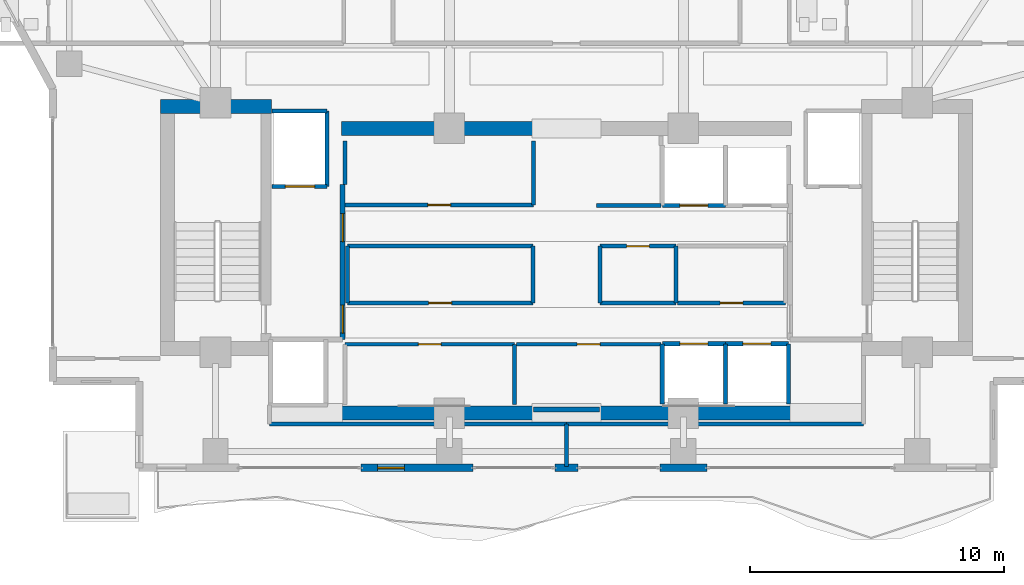
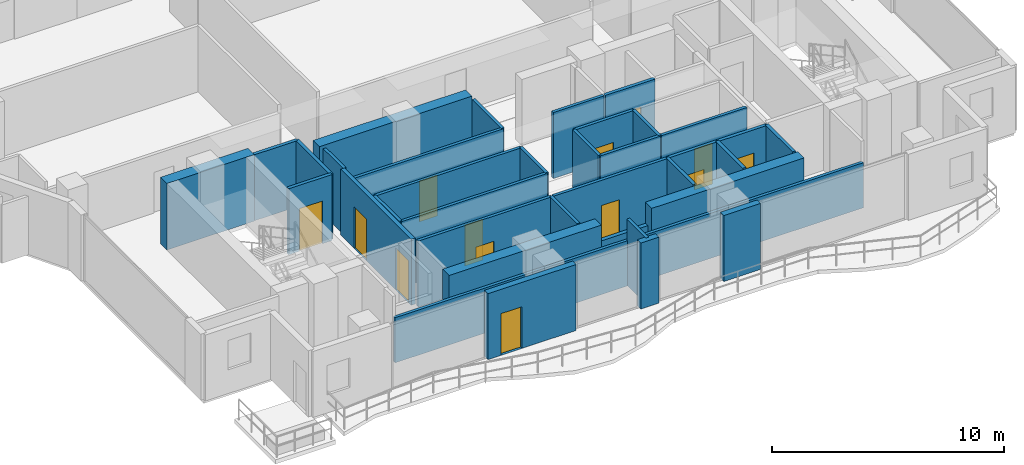
# One storey, part 18 of 26: 37 walls, 13 doors, 13 openings.
"""IFC4 building model written with IfcOpenShell, lengths in metres."""

from ifc_helpers import new_model, si_unit, direction, frame, frame_2d, origin, place, context, subcontext, project, spatial, rectangle, extrude, material, layer, layer_set, type_object, element, fill, save


model = new_model("IFC4")

# Units and contexts
model_context = context("Model", 3, precision=1e-05, world=origin(), true_north=direction((0.0, 1.0)))
body_context = subcontext(model_context, "Body", "Model", "MODEL_VIEW")
ifc_project = project(units=[si_unit("LENGTHUNIT", "METRE"), si_unit("AREAUNIT", "SQUARE_METRE"), si_unit("VOLUMEUNIT", "CUBIC_METRE"), si_unit("PLANEANGLEUNIT", "RADIAN"), si_unit("MASSUNIT", "GRAM", prefix="KILO")], contexts=[model_context])

# Site, building, storey
site_placement = place(None, origin())
site = spatial("IfcSite", under=ifc_project, at=site_placement, CompositionType="ELEMENT")
building_placement = place(site_placement, origin())
building = spatial("IfcBuilding", under=site, at=building_placement, Name="Zuhayl Quay Hotel", CompositionType="ELEMENT")
storey_placement = place(building_placement, frame((0.0, 0.0, 247.050048828125)))
storey = spatial("IfcBuildingStorey", under=building, at=storey_placement, Name="L62", CompositionType="ELEMENT", Elevation=247.050048828125)

# Walls
ifc_material_1 = material(Name="Concrete C50/60", Category="concrete")
ifc_layer_1 = layer(ifc_material_1, 0.550048828125, Name="Concrete C50/60", Category="concrete")
ifc_layer_set_1 = layer_set([ifc_layer_1], Name="Concrete C50/60")
wall_type_1 = type_object("IfcWallType", Name="WL_CORE_550", PredefinedType="SHEAR", material=ifc_layer_set_1)
wall_1_placement = place(storey_placement, frame((-15.9599609375, 14.205078125, 0.0), z_axis=(0.0, 0.0, 1.0), x_axis=(1.0, 0.0, 0.0)))
element("IfcWall", 1, at=wall_1_placement, inside=storey, type_object=wall_type_1, Name="L62 Core Shear Wall CW_NW", PredefinedType="SHEAR", context=body_context, shape_type="SweptSolid", body=[
    extrude(rectangle(XDim=4.35986328125, YDim=0.550048828125, at=frame_2d((2.179931640625, 0.0))), origin(), (0.0, 0.0, 1.0), 3.510009765625),
])
for number, where, z_axis, x_axis, name in (
    (2, (-8.85009765625, 2.14990234375, 0.0), (0.0, 0.0, 1.0), (1.0, 0.0, 0.0), "L62 Core Shear Wall CW_SC_W"),
    (3, (1.25, 2.14990234375, 0.0), (0.0, 0.0, 1.0), (1.0, 0.0, 0.0), "L62 Core Shear Wall CW_SC_E"),
    (4, (-8.85009765625, 13.35009765625, 0.0), (0.0, 0.0, 1.0), (1.0, 0.0, 0.0), "L62 Core Shear Wall CW_NC_W"),
):
    element("IfcWall", number, at=place(storey_placement, frame(where, z_axis=z_axis, x_axis=x_axis)), inside=storey, type_object=wall_type_1, Name=name, PredefinedType="SHEAR", context=body_context, shape_type="SweptSolid", body=[
        extrude(rectangle(XDim=7.60009765625, YDim=0.550048828125, at=frame_2d((3.800048828125, 0.0))), origin(), (0.0, 0.0, 1.0), 3.47998046875),
    ])
ifc_material_2 = material(Name="Precast concrete C45/55", Category="concrete")
ifc_layer_2 = layer(ifc_material_2, 0.300048828125, Name="Precast concrete C45/55", Category="concrete")
ifc_layer_set_2 = layer_set([ifc_layer_2], Name="Precast concrete C45/55")
wall_type_2 = type_object("IfcWallType", Name="WL_EXT_300", PredefinedType="STANDARD", material=ifc_layer_set_2)
wall_2_placement = place(storey_placement, frame((5.52001953125, 0.0, 0.0), z_axis=(0.0, 0.0, 1.0), x_axis=(-1.0, 0.0, 0.0)))
element("IfcWall", 5, at=wall_2_placement, inside=storey, type_object=wall_type_2, Name="L62 Exterior Precast Wall ENV_L62_S_EW2", PredefinedType="STANDARD", context=body_context, shape_type="SweptSolid", body=[
    extrude(rectangle(XDim=1.840087890625, YDim=0.300048828125, at=frame_2d((0.919921875, 0.0))), origin(), (0.0, 0.0, 1.0), 3.47998046875),
])
wall_3_placement = place(storey_placement, frame((0.449951171875, 0.0, 0.0), z_axis=(0.0, 0.0, 1.0), x_axis=(-1.0, 0.0, 0.0)))
element("IfcWall", 6, at=wall_3_placement, inside=storey, type_object=wall_type_2, Name="L62 Exterior Precast Wall ENV_L62_S_EW3", PredefinedType="STANDARD", context=body_context, shape_type="SweptSolid", body=[
    extrude(rectangle(XDim=0.89990234375, YDim=0.300048828125, at=frame_2d((0.449951171875, 0.0))), origin(), (0.0, 0.0, 1.0), 3.47998046875),
])

# Wall, opening, door
wall_4_placement = place(storey_placement, frame((-3.679931640625, 0.0, 0.0), z_axis=(0.0, 0.0, 1.0), x_axis=(-1.0, 0.0, 0.0)))
wall_4 = element("IfcWall", 7, at=wall_4_placement, inside=storey, type_object=wall_type_2, Name="L62 Exterior Precast Wall ENV_L62_S_EW4", PredefinedType="STANDARD", context=body_context, shape_type="SweptSolid", body=[
    extrude(rectangle(XDim=4.39501953125, YDim=0.300048828125, at=frame_2d((2.197509765625, 0.0))), origin(), (0.0, 0.0, 1.0), 3.47998046875),
])
opening_1_placement = place(wall_4_placement, frame((2.695068359375, 0.0, 0.0)))
opening_1 = element("IfcOpeningElement", 8, at=opening_1_placement, cuts=wall_4, Name="Opening DG1", PredefinedType="OPENING", context=body_context, shape_type="SweptSolid", body=[
    extrude(rectangle(XDim=1.050048828125, YDim=2.199951171875, at=frame_2d((0.52490234375, 1.10009765625))), frame((0.0, 0.159912109375, 0.0), z_axis=(0.0, -1.0, 0.0), x_axis=(1.0, 0.0, 0.0)), (0.0, 0.0, 1.0), 0.320068359375),
])
ifc_material_3 = material(Name="Anodised Aluminium and Dark Solar Glass", Category="aluminium")
door_type_1 = type_object("IfcDoorType", Name="DR_EXT_TERR_1050", OperationType="NOTDEFINED", PredefinedType="DOOR", material=ifc_material_3)
door_1_placement = place(opening_1_placement, origin())
door_1 = element("IfcDoor", 9, at=door_1_placement, inside=storey, type_object=door_type_1, Name="L62 South Rippling Balcony Door", OperationType="SINGLE_SWING_RIGHT", OverallHeight=2.199951171875, OverallWidth=1.050048828125, PredefinedType="DOOR", context=body_context, shape_type="SweptSolid", body=[
    extrude(rectangle(XDim=1.050048828125, YDim=2.199951171875, at=frame_2d((0.52490234375, 1.10009765625))), frame((0.0, 0.02490234375, 0.0), z_axis=(0.0, -1.0, 0.0), x_axis=(1.0, 0.0, 0.0)), (0.0, 0.0, 1.0), 0.050048828125),
])
fill(opening_1, door_1)

ifc_material_4 = material(Name="Acoustic Gypsum Partition STC-58")
ifc_layer_3 = layer(ifc_material_4, 0.14990234375, Name="Acoustic Gypsum Partition STC-58")
ifc_layer_set_3 = layer_set([ifc_layer_3], Name="Acoustic Gypsum Partition STC-58")
wall_type_3 = type_object("IfcWallType", Name="WL_PART_150", PredefinedType="PARTITIONING", material=ifc_layer_set_3)
wall_5_placement = place(storey_placement, frame((-8.7099609375, 4.860107421875, 0.0), z_axis=(0.0, 0.0, 1.0), x_axis=(1.0, 0.0, 0.0)))
wall_5 = element("IfcWall", 10, at=wall_5_placement, inside=storey, type_object=wall_type_3, Name="L62 Partition IW_L62_FMP_SW_N", PredefinedType="PARTITIONING", context=body_context, shape_type="SweptSolid", body=[
    extrude(rectangle(XDim=6.669921875, YDim=0.14990234375, at=frame_2d((3.3349609375, 0.0))), origin(), (0.0, 0.0, 1.0), 3.47998046875),
])
opening_2_placement = place(wall_5_placement, frame((2.885009765625, 0.0, 0.0)))
opening_2 = element("IfcOpeningElement", 11, at=opening_2_placement, cuts=wall_5, Name="Opening D06", PredefinedType="OPENING", context=body_context, shape_type="SweptSolid", body=[
    extrude(rectangle(XDim=0.89990234375, YDim=2.14990234375, at=frame_2d((0.449951171875, 1.074951171875))), frame((0.0, 0.0849609375, 0.0), z_axis=(0.0, -1.0, 0.0), x_axis=(1.0, 0.0, 0.0)), (0.0, 0.0, 1.0), 0.169921875),
])
ifc_material_5 = material(Name="Steel ASTM A992 Grade 50", Category="steel")
door_type_2 = type_object("IfcDoorType", Name="DR_INT_900", OperationType="NOTDEFINED", PredefinedType="DOOR", material=ifc_material_5)
door_2_placement = place(opening_2_placement, origin())
door_2 = element("IfcDoor", 12, at=door_2_placement, inside=storey, type_object=door_type_2, Name="L62 Sky-Suite Sommelier Pantry Door", OperationType="SINGLE_SWING_LEFT", OverallHeight=2.14990234375, OverallWidth=0.89990234375, PredefinedType="DOOR", context=body_context, shape_type="SweptSolid", body=[
    extrude(rectangle(XDim=0.89990234375, YDim=2.14990234375, at=frame_2d((0.449951171875, 1.074951171875))), frame((0.0, 0.02490234375, 0.0), z_axis=(0.0, -1.0, 0.0), x_axis=(1.0, 0.0, 0.0)), (0.0, 0.0, 1.0), 0.050048828125),
])
fill(opening_2, door_2)

wall_6_placement = place(storey_placement, frame((-1.9599609375, 4.860107421875, 0.0), z_axis=(0.0, 0.0, 1.0), x_axis=(1.0, 0.0, 0.0)))
wall_6 = element("IfcWall", 13, at=wall_6_placement, inside=storey, type_object=wall_type_3, Name="L62 Partition IW_L62_FMP_SE_N", PredefinedType="PARTITIONING", context=body_context, shape_type="SweptSolid", body=[
    extrude(rectangle(XDim=5.669921875, YDim=0.14990234375, at=frame_2d((2.8349609375, 0.0))), origin(), (0.0, 0.0, 1.0), 3.47998046875),
])
opening_3_placement = place(wall_6_placement, frame((2.385009765625, 0.0, 0.0)))
opening_3 = element("IfcOpeningElement", 14, at=opening_3_placement, cuts=wall_6, Name="Opening D06", PredefinedType="OPENING", context=body_context, shape_type="SweptSolid", body=[
    extrude(rectangle(XDim=0.89990234375, YDim=2.14990234375, at=frame_2d((0.449951171875, 1.074951171875))), frame((0.0, 0.0849609375, 0.0), z_axis=(0.0, -1.0, 0.0), x_axis=(1.0, 0.0, 0.0)), (0.0, 0.0, 1.0), 0.169921875),
])
door_3_placement = place(opening_3_placement, origin())
door_3 = element("IfcDoor", 15, at=door_3_placement, inside=storey, type_object=door_type_2, Name="L62 Butler Linen Store Door", OperationType="SINGLE_SWING_RIGHT", OverallHeight=2.14990234375, OverallWidth=0.89990234375, PredefinedType="DOOR", context=body_context, shape_type="SweptSolid", body=[
    extrude(rectangle(XDim=0.89990234375, YDim=2.14990234375, at=frame_2d((0.449951171875, 1.074951171875))), frame((0.0, 0.02490234375, 0.0), z_axis=(0.0, -1.0, 0.0), x_axis=(1.0, 0.0, 0.0)), (0.0, 0.0, 1.0), 0.050048828125),
])
fill(opening_3, door_3)

wall_7_placement = place(storey_placement, frame((-8.7099609375, 10.340087890625, 0.0), z_axis=(0.0, 0.0, 1.0), x_axis=(1.0, 0.0, 0.0)))
wall_7 = element("IfcWall", 16, at=wall_7_placement, inside=storey, type_object=wall_type_3, Name="L62 Partition IW_L62_FMP_NW_S", PredefinedType="PARTITIONING", context=body_context, shape_type="SweptSolid", body=[
    extrude(rectangle(XDim=7.419921875, YDim=0.14990234375, at=frame_2d((3.7099609375, 0.0))), origin(), (0.0, 0.0, 1.0), 3.47998046875),
])
opening_4_placement = place(wall_7_placement, frame((3.260009765625, 0.0, 0.0)))
opening_4 = element("IfcOpeningElement", 17, at=opening_4_placement, cuts=wall_7, Name="Opening D06", PredefinedType="OPENING", context=body_context, shape_type="SweptSolid", body=[
    extrude(rectangle(XDim=0.89990234375, YDim=2.14990234375, at=frame_2d((0.449951171875, 1.074951171875))), frame((0.0, 0.0849609375, 0.0), z_axis=(0.0, -1.0, 0.0), x_axis=(1.0, 0.0, 0.0)), (0.0, 0.0, 1.0), 0.169921875),
])
door_4_placement = place(opening_4_placement, origin())
door_4 = element("IfcDoor", 18, at=door_4_placement, inside=storey, type_object=door_type_2, Name="L62 Valet Linen Store Door", OperationType="SINGLE_SWING_LEFT", OverallHeight=2.14990234375, OverallWidth=0.89990234375, PredefinedType="DOOR", context=body_context, shape_type="SweptSolid", body=[
    extrude(rectangle(XDim=0.89990234375, YDim=2.14990234375, at=frame_2d((0.449951171875, 1.074951171875))), frame((0.0, 0.02490234375, 0.0), z_axis=(0.0, -1.0, 0.0), x_axis=(1.0, 0.0, 0.0)), (0.0, 0.0, 1.0), 0.050048828125),
])
fill(opening_4, door_4)

wall_8_placement = place(storey_placement, frame((-8.610107421875, 6.47998046875, 0.0), z_axis=(0.0, 0.0, 1.0), x_axis=(1.0, 0.0, 0.0)))
wall_8 = element("IfcWall", 19, at=wall_8_placement, inside=storey, type_object=wall_type_3, Name="L62 Partition IW_L62_CORE_EL_S", PredefinedType="PARTITIONING", context=body_context, shape_type="SweptSolid", body=[
    extrude(rectangle(XDim=7.2900390625, YDim=0.14990234375, at=frame_2d((3.64501953125, 0.0))), origin(), (0.0, 0.0, 1.0), 3.47998046875),
])
opening_5_placement = place(wall_8_placement, frame((3.195068359375, 0.0, 0.0)))
opening_5 = element("IfcOpeningElement", 20, at=opening_5_placement, cuts=wall_8, Name="Opening D06", PredefinedType="OPENING", context=body_context, shape_type="SweptSolid", body=[
    extrude(rectangle(XDim=0.89990234375, YDim=2.14990234375, at=frame_2d((0.449951171875, 1.074951171875))), frame((0.0, 0.0849609375, 0.0), z_axis=(0.0, -1.0, 0.0), x_axis=(1.0, 0.0, 0.0)), (0.0, 0.0, 1.0), 0.169921875),
])
door_5_placement = place(opening_5_placement, origin())
door_5 = element("IfcDoor", 21, at=door_5_placement, inside=storey, type_object=door_type_2, Name="L62 Floor Electrical Plant Room Door", OperationType="SINGLE_SWING_RIGHT", OverallHeight=2.14990234375, OverallWidth=0.89990234375, PredefinedType="DOOR", context=body_context, shape_type="SweptSolid", body=[
    extrude(rectangle(XDim=0.89990234375, YDim=2.14990234375, at=frame_2d((0.449951171875, 1.074951171875))), frame((0.0, 0.02490234375, 0.0), z_axis=(0.0, -1.0, 0.0), x_axis=(1.0, 0.0, 0.0)), (0.0, 0.0, 1.0), 0.050048828125),
])
fill(opening_5, door_5)

wall_9_placement = place(storey_placement, frame((1.320068359375, 8.719970703125, 0.0), z_axis=(0.0, 0.0, 1.0), x_axis=(1.0, 0.0, 0.0)))
wall_9 = element("IfcWall", 22, at=wall_9_placement, inside=storey, type_object=wall_type_3, Name="L62 Partition IW_L62_CORE_IT_N", PredefinedType="PARTITIONING", context=body_context, shape_type="SweptSolid", body=[
    extrude(rectangle(XDim=2.989990234375, YDim=0.14990234375, at=frame_2d((1.4951171875, 0.0))), origin(), (0.0, 0.0, 1.0), 3.47998046875),
])
opening_6_placement = place(wall_9_placement, frame((1.044921875, 0.0, 0.0)))
opening_6 = element("IfcOpeningElement", 23, at=opening_6_placement, cuts=wall_9, Name="Opening D06", PredefinedType="OPENING", context=body_context, shape_type="SweptSolid", body=[
    extrude(rectangle(XDim=0.89990234375, YDim=2.14990234375, at=frame_2d((0.449951171875, 1.074951171875))), frame((0.0, 0.0849609375, 0.0), z_axis=(0.0, -1.0, 0.0), x_axis=(1.0, 0.0, 0.0)), (0.0, 0.0, 1.0), 0.169921875),
])
door_6_placement = place(opening_6_placement, origin())
door_6 = element("IfcDoor", 24, at=door_6_placement, inside=storey, type_object=door_type_2, Name="L62 Telecom Closet Door", OperationType="SINGLE_SWING_LEFT", OverallHeight=2.14990234375, OverallWidth=0.89990234375, PredefinedType="DOOR", context=body_context, shape_type="SweptSolid", body=[
    extrude(rectangle(XDim=0.89990234375, YDim=2.14990234375, at=frame_2d((0.449951171875, 1.074951171875))), frame((0.0, 0.02490234375, 0.0), z_axis=(0.0, -1.0, 0.0), x_axis=(1.0, 0.0, 0.0)), (0.0, 0.0, 1.0), 0.050048828125),
])
fill(opening_6, door_6)

wall_10_placement = place(storey_placement, frame((4.3701171875, 6.47998046875, 0.0), z_axis=(0.0, 0.0, 1.0), x_axis=(1.0, 0.0, 0.0)))
wall_10 = element("IfcWall", 25, at=wall_10_placement, inside=storey, type_object=wall_type_3, Name="L62 Partition IW_L62_CORE_LN_S", PredefinedType="PARTITIONING", context=body_context, shape_type="SweptSolid", body=[
    extrude(rectangle(XDim=4.239990234375, YDim=0.14990234375, at=frame_2d((2.1201171875, 0.0))), origin(), (0.0, 0.0, 1.0), 3.47998046875),
])
opening_7_placement = place(wall_10_placement, frame((1.669921875, 0.0, 0.0)))
opening_7 = element("IfcOpeningElement", 26, at=opening_7_placement, cuts=wall_10, Name="Opening D06", PredefinedType="OPENING", context=body_context, shape_type="SweptSolid", body=[
    extrude(rectangle(XDim=0.89990234375, YDim=2.14990234375, at=frame_2d((0.449951171875, 1.074951171875))), frame((0.0, 0.0849609375, 0.0), z_axis=(0.0, -1.0, 0.0), x_axis=(1.0, 0.0, 0.0)), (0.0, 0.0, 1.0), 0.169921875),
])
door_7_placement = place(opening_7_placement, origin())
door_7 = element("IfcDoor", 27, at=door_7_placement, inside=storey, type_object=door_type_2, Name="L62 Core Linen Store Door", OperationType="SINGLE_SWING_RIGHT", OverallHeight=2.14990234375, OverallWidth=0.89990234375, PredefinedType="DOOR", context=body_context, shape_type="SweptSolid", body=[
    extrude(rectangle(XDim=0.89990234375, YDim=2.14990234375, at=frame_2d((0.449951171875, 1.074951171875))), frame((0.0, 0.02490234375, 0.0), z_axis=(0.0, -1.0, 0.0), x_axis=(1.0, 0.0, 0.0)), (0.0, 0.0, 1.0), 0.050048828125),
])
fill(opening_7, door_7)

# Walls
wall_11_placement = place(storey_placement, frame((-2.0400390625, 2.489990234375, 0.0), z_axis=(0.0, 0.0, 1.0), x_axis=(0.0, 1.0, 0.0)))
element("IfcWall", 28, at=wall_11_placement, inside=storey, type_object=wall_type_3, Name="L62 Partition IW_L62_FMP_SW_E", PredefinedType="PARTITIONING", context=body_context, shape_type="SweptSolid", body=[
    extrude(rectangle(XDim=2.3701171875, YDim=0.14990234375, at=frame_2d((1.18505859375, 0.0))), origin(), (0.0, 0.0, 1.0), 3.47998046875),
])
wall_12_placement = place(storey_placement, frame((-8.7099609375, 11.14990234375, 0.0), z_axis=(0.0, 0.0, 1.0), x_axis=(0.0, 1.0, 0.0)))
element("IfcWall", 29, at=wall_12_placement, inside=storey, type_object=wall_type_3, Name="L62 Partition IW_L62_FMP_NW_W", PredefinedType="PARTITIONING", context=body_context, shape_type="SweptSolid", body=[
    extrude(rectangle(XDim=1.710205078125, YDim=0.14990234375, at=frame_2d((0.85498046875, 0.0))), origin(), (0.0, 0.0, 1.0), 3.47998046875),
])
wall_13_placement = place(storey_placement, frame((-1.2900390625, 10.340087890625, 0.0), z_axis=(0.0, 0.0, 1.0), x_axis=(0.0, 1.0, 0.0)))
element("IfcWall", 30, at=wall_13_placement, inside=storey, type_object=wall_type_3, Name="L62 Partition IW_L62_FMP_NW_E", PredefinedType="PARTITIONING", context=body_context, shape_type="SweptSolid", body=[
    extrude(rectangle(XDim=2.52001953125, YDim=0.14990234375, at=frame_2d((1.260009765625, 0.0))), origin(), (0.0, 0.0, 1.0), 3.47998046875),
])
wall_14_placement = place(storey_placement, frame((-8.610107421875, 8.719970703125, 0.0), z_axis=(0.0, 0.0, 1.0), x_axis=(1.0, 0.0, 0.0)))
element("IfcWall", 31, at=wall_14_placement, inside=storey, type_object=wall_type_3, Name="L62 Partition IW_L62_CORE_EL_N", PredefinedType="PARTITIONING", context=body_context, shape_type="SweptSolid", body=[
    extrude(rectangle(XDim=7.2900390625, YDim=0.14990234375, at=frame_2d((3.64501953125, 0.0))), origin(), (0.0, 0.0, 1.0), 3.47998046875),
])
for number, where, z_axis, x_axis, name in (
    (32, (-8.610107421875, 6.47998046875, 0.0), (0.0, 0.0, 1.0), (0.0, 1.0, 0.0), "L62 Partition IW_L62_CORE_EL_W"),
    (33, (-1.320068359375, 6.47998046875, 0.0), (0.0, 0.0, 1.0), (0.0, 1.0, 0.0), "L62 Partition IW_L62_CORE_EL_E"),
):
    element("IfcWall", number, at=place(storey_placement, frame(where, z_axis=z_axis, x_axis=x_axis)), inside=storey, type_object=wall_type_3, Name=name, PredefinedType="PARTITIONING", context=body_context, shape_type="SweptSolid", body=[
        extrude(rectangle(XDim=2.239990234375, YDim=0.14990234375, at=frame_2d((1.1201171875, 0.0))), origin(), (0.0, 0.0, 1.0), 3.47998046875),
    ])
wall_15_placement = place(storey_placement, frame((1.320068359375, 6.47998046875, 0.0), z_axis=(0.0, 0.0, 1.0), x_axis=(1.0, 0.0, 0.0)))
element("IfcWall", 34, at=wall_15_placement, inside=storey, type_object=wall_type_3, Name="L62 Partition IW_L62_CORE_IT_S", PredefinedType="PARTITIONING", context=body_context, shape_type="SweptSolid", body=[
    extrude(rectangle(XDim=2.989990234375, YDim=0.14990234375, at=frame_2d((1.4951171875, 0.0))), origin(), (0.0, 0.0, 1.0), 3.47998046875),
])
for number, where, z_axis, x_axis, name in (
    (35, (1.320068359375, 6.47998046875, 0.0), (0.0, 0.0, 1.0), (0.0, 1.0, 0.0), "L62 Partition IW_L62_CORE_IT_W"),
    (36, (4.31005859375, 6.47998046875, 0.0), (0.0, 0.0, 1.0), (0.0, 1.0, 0.0), "L62 Partition IW_L62_CORE_IT_E"),
):
    element("IfcWall", number, at=place(storey_placement, frame(where, z_axis=z_axis, x_axis=x_axis)), inside=storey, type_object=wall_type_3, Name=name, PredefinedType="PARTITIONING", context=body_context, shape_type="SweptSolid", body=[
        extrude(rectangle(XDim=2.239990234375, YDim=0.14990234375, at=frame_2d((1.1201171875, 0.0))), origin(), (0.0, 0.0, 1.0), 3.47998046875),
    ])
wall_16_placement = place(storey_placement, frame((1.179931640625, 10.320068359375, 0.0), z_axis=(0.0, 0.0, 1.0), x_axis=(1.0, 0.0, 0.0)))
element("IfcWall", 37, at=wall_16_placement, inside=storey, type_object=wall_type_3, Name="L62 Partition IW_L62_VEST_MP4_S", PredefinedType="PARTITIONING", context=body_context, shape_type="SweptSolid", body=[
    extrude(rectangle(XDim=2.5400390625, YDim=0.14990234375, at=frame_2d((1.27001953125, 0.0))), origin(), (0.0, 0.0, 1.0), 3.47998046875),
])
for number, where, z_axis, x_axis, name in (
    (38, (-11.679931640625, 1.719970703125, 0.0), (0.0, 0.0, 1.0), (1.0, 0.0, 0.0), "L62 Partition IW_L62_Z4_SUN_SW_SN"),
    (39, (0.0, 1.719970703125, 0.0), (0.0, 0.0, 1.0), (1.0, 0.0, 0.0), "L62 Partition IW_L62_Z4_SUN_SE_SN"),
):
    element("IfcWall", number, at=place(storey_placement, frame(where, z_axis=z_axis, x_axis=x_axis)), inside=storey, type_object=wall_type_3, Name=name, PredefinedType="PARTITIONING", context=body_context, shape_type="SweptSolid", body=[
        extrude(rectangle(XDim=11.679931640625, YDim=0.14990234375, at=frame_2d((5.83984375, 0.0))), origin(), (0.0, 0.0, 1.0), 2.3798828125),
    ])
wall_17_placement = place(storey_placement, frame((0.0, 0.06005859375, 0.0), z_axis=(0.0, 0.0, 1.0), x_axis=(0.0, 1.0, 0.0)))
element("IfcWall", 40, at=wall_17_placement, inside=storey, type_object=wall_type_3, Name="L62 Partition IW_L62_Z4_SUN_MID", PredefinedType="PARTITIONING", context=body_context, shape_type="SweptSolid", body=[
    extrude(rectangle(XDim=1.659912109375, YDim=0.14990234375, at=frame_2d((0.830078125, 0.0))), origin(), (0.0, 0.0, 1.0), 3.47998046875),
])

# Wall, opening, door
ifc_material_6 = material(Name="Gypsum Fireboard Assembly EI-90")
ifc_layer_4 = layer(ifc_material_6, 0.1650390625, Name="Gypsum Fireboard Assembly EI-90")
ifc_layer_set_4 = layer_set([ifc_layer_4], Name="Gypsum Fireboard Assembly EI-90")
wall_type_4 = type_object("IfcWallType", Name="WL_PART_SHAFT_160", PredefinedType="PARTITIONING", material=ifc_layer_set_4)
wall_18_placement = place(storey_placement, frame((-11.580078125, 11.070068359375, 0.0), z_axis=(0.0, 0.0, 1.0), x_axis=(1.0, 0.0, 0.0)))
wall_18 = element("IfcWall", 41, at=wall_18_placement, inside=storey, type_object=wall_type_4, Name="L62 Partition IW_L62_SH_FL1_F", PredefinedType="PARTITIONING", context=body_context, shape_type="SweptSolid", body=[
    extrude(rectangle(XDim=2.16015625, YDim=0.1650390625, at=frame_2d((1.080078125, 0.0))), origin(), (0.0, 0.0, 1.0), 3.47998046875),
])
opening_8_placement = place(wall_18_placement, frame((0.530029296875, 0.0, 0.0)))
opening_8 = element("IfcOpeningElement", 42, at=opening_8_placement, cuts=wall_18, Name="Opening LD2", PredefinedType="OPENING", context=body_context, shape_type="SweptSolid", body=[
    extrude(rectangle(XDim=1.14990234375, YDim=2.25, at=frame_2d((0.574951171875, 1.125))), frame((0.0, 0.092529296875, 0.0), z_axis=(0.0, -1.0, 0.0), x_axis=(1.0, 0.0, 0.0)), (0.0, 0.0, 1.0), 0.18505859375),
])
ifc_material_7 = material(Name="Brushed Stainless Steel", Category="steel")
door_type_3 = type_object("IfcDoorType", Name="DR_LIFT_FF_1100", OperationType="SLIDING_TO_LEFT", PredefinedType="DOOR", material=ifc_material_7)
door_8_placement = place(opening_8_placement, origin())
door_8 = element("IfcDoor", 43, at=door_8_placement, inside=storey, type_object=door_type_3, Name="L62 Lift FL1 Sliding Landing Door", OperationType="SLIDING_TO_LEFT", OverallHeight=2.25, OverallWidth=1.14990234375, PredefinedType="DOOR", context=body_context, shape_type="SweptSolid", body=[
    extrude(rectangle(XDim=1.14990234375, YDim=2.25, at=frame_2d((0.574951171875, 1.125))), frame((0.0, 0.02490234375, 0.0), z_axis=(0.0, -1.0, 0.0), x_axis=(1.0, 0.0, 0.0)), (0.0, 0.0, 1.0), 0.050048828125),
])
fill(opening_8, door_8)

wall_19_placement = place(storey_placement, frame((3.77001953125, 4.8798828125, 0.0), z_axis=(0.0, 0.0, 1.0), x_axis=(1.0, 0.0, 0.0)))
wall_19 = element("IfcWall", 44, at=wall_19_placement, inside=storey, type_object=wall_type_4, Name="L62 Partition IW_L62_SH_HP1_F", PredefinedType="PARTITIONING", context=body_context, shape_type="SweptSolid", body=[
    extrude(rectangle(XDim=2.47998046875, YDim=0.1650390625, at=frame_2d((1.239990234375, 0.0))), origin(), (0.0, 0.0, 1.0), 3.47998046875),
])
opening_9_placement = place(wall_19_placement, frame((0.68994140625, 0.0, 0.0)))
opening_9 = element("IfcOpeningElement", 45, at=opening_9_placement, cuts=wall_19, Name="Opening LD1", PredefinedType="OPENING", context=body_context, shape_type="SweptSolid", body=[
    extrude(rectangle(XDim=1.10009765625, YDim=2.25, at=frame_2d((0.550048828125, 1.125))), frame((0.0, 0.092529296875, 0.0), z_axis=(0.0, -1.0, 0.0), x_axis=(1.0, 0.0, 0.0)), (0.0, 0.0, 1.0), 0.18505859375),
])
door_type_4 = type_object("IfcDoorType", Name="DR_LIFT_PASS_1100", OperationType="SLIDING_TO_LEFT", PredefinedType="DOOR", material=ifc_material_7)
door_9_placement = place(opening_9_placement, origin())
door_9 = element("IfcDoor", 46, at=door_9_placement, inside=storey, type_object=door_type_4, Name="L62 Lift HP1 Sliding Landing Door", OperationType="SLIDING_TO_LEFT", OverallHeight=2.25, OverallWidth=1.10009765625, PredefinedType="DOOR", context=body_context, shape_type="SweptSolid", body=[
    extrude(rectangle(XDim=1.10009765625, YDim=2.25, at=frame_2d((0.550048828125, 1.125))), frame((0.0, 0.02490234375, 0.0), z_axis=(0.0, -1.0, 0.0), x_axis=(1.0, 0.0, 0.0)), (0.0, 0.0, 1.0), 0.050048828125),
])
fill(opening_9, door_9)

wall_20_placement = place(storey_placement, frame((6.25, 4.8798828125, 0.0), z_axis=(0.0, 0.0, 1.0), x_axis=(1.0, 0.0, 0.0)))
wall_20 = element("IfcWall", 47, at=wall_20_placement, inside=storey, type_object=wall_type_4, Name="L62 Partition IW_L62_SH_HP2_F", PredefinedType="PARTITIONING", context=body_context, shape_type="SweptSolid", body=[
    extrude(rectangle(XDim=2.47998046875, YDim=0.1650390625, at=frame_2d((1.239990234375, 0.0))), origin(), (0.0, 0.0, 1.0), 3.47998046875),
])
opening_10_placement = place(wall_20_placement, frame((0.68994140625, 0.0, 0.0)))
opening_10 = element("IfcOpeningElement", 48, at=opening_10_placement, cuts=wall_20, Name="Opening LD1", PredefinedType="OPENING", context=body_context, shape_type="SweptSolid", body=[
    extrude(rectangle(XDim=1.10009765625, YDim=2.25, at=frame_2d((0.550048828125, 1.125))), frame((0.0, 0.092529296875, 0.0), z_axis=(0.0, -1.0, 0.0), x_axis=(1.0, 0.0, 0.0)), (0.0, 0.0, 1.0), 0.18505859375),
])
door_10_placement = place(opening_10_placement, origin())
door_10 = element("IfcDoor", 49, at=door_10_placement, inside=storey, type_object=door_type_4, Name="L62 Lift HP2 Sliding Landing Door", OperationType="SLIDING_TO_LEFT", OverallHeight=2.25, OverallWidth=1.10009765625, PredefinedType="DOOR", context=body_context, shape_type="SweptSolid", body=[
    extrude(rectangle(XDim=1.10009765625, YDim=2.25, at=frame_2d((0.550048828125, 1.125))), frame((0.0, 0.02490234375, 0.0), z_axis=(0.0, -1.0, 0.0), x_axis=(1.0, 0.0, 0.0)), (0.0, 0.0, 1.0), 0.050048828125),
])
fill(opening_10, door_10)

wall_21_placement = place(storey_placement, frame((3.77001953125, 10.320068359375, 0.0), z_axis=(0.0, 0.0, 1.0), x_axis=(1.0, 0.0, 0.0)))
wall_21 = element("IfcWall", 50, at=wall_21_placement, inside=storey, type_object=wall_type_4, Name="L62 Partition IW_L62_SH_HP3_F", PredefinedType="PARTITIONING", context=body_context, shape_type="SweptSolid", body=[
    extrude(rectangle(XDim=2.47998046875, YDim=0.1650390625, at=frame_2d((1.239990234375, 0.0))), origin(), (0.0, 0.0, 1.0), 3.47998046875),
])
opening_11_placement = place(wall_21_placement, frame((0.68994140625, 0.0, 0.0)))
opening_11 = element("IfcOpeningElement", 51, at=opening_11_placement, cuts=wall_21, Name="Opening LD1", PredefinedType="OPENING", context=body_context, shape_type="SweptSolid", body=[
    extrude(rectangle(XDim=1.10009765625, YDim=2.25, at=frame_2d((0.550048828125, 1.125))), frame((0.0, 0.092529296875, 0.0), z_axis=(0.0, -1.0, 0.0), x_axis=(1.0, 0.0, 0.0)), (0.0, 0.0, 1.0), 0.18505859375),
])
door_11_placement = place(opening_11_placement, origin())
door_11 = element("IfcDoor", 52, at=door_11_placement, inside=storey, type_object=door_type_4, Name="L62 Lift HP3 Sliding Landing Door", OperationType="SLIDING_TO_LEFT", OverallHeight=2.25, OverallWidth=1.10009765625, PredefinedType="DOOR", context=body_context, shape_type="SweptSolid", body=[
    extrude(rectangle(XDim=1.10009765625, YDim=2.25, at=frame_2d((0.550048828125, 1.125))), frame((0.0, 0.02490234375, 0.0), z_axis=(0.0, -1.0, 0.0), x_axis=(1.0, 0.0, 0.0)), (0.0, 0.0, 1.0), 0.050048828125),
])
fill(opening_11, door_11)

# Walls
wall_22_placement = place(storey_placement, frame((-9.419921875, 11.070068359375, 0.0), z_axis=(0.0, 0.0, 1.0), x_axis=(0.0, 1.0, 0.0)))
element("IfcWall", 53, at=wall_22_placement, inside=storey, type_object=wall_type_4, Name="L62 Partition IW_L62_SH_FL1_E", PredefinedType="PARTITIONING", context=body_context, shape_type="SweptSolid", body=[
    extrude(rectangle(XDim=2.9599609375, YDim=0.1650390625, at=frame_2d((1.47998046875, 0.0))), origin(), (0.0, 0.0, 1.0), 3.47998046875),
])
wall_23_placement = place(storey_placement, frame((-11.580078125, 14.030029296875, 0.0), z_axis=(0.0, 0.0, 1.0), x_axis=(1.0, 0.0, 0.0)))
element("IfcWall", 54, at=wall_23_placement, inside=storey, type_object=wall_type_4, Name="L62 Partition IW_L62_SH_FL1_B", PredefinedType="PARTITIONING", context=body_context, shape_type="SweptSolid", body=[
    extrude(rectangle(XDim=2.16015625, YDim=0.1650390625, at=frame_2d((1.080078125, 0.0))), origin(), (0.0, 0.0, 1.0), 3.47998046875),
])
for number, where, z_axis, x_axis, name in (
    (55, (3.77001953125, 2.52001953125, 0.0), (0.0, 0.0, 1.0), (0.0, 1.0, 0.0), "L62 Partition IW_L62_SH_HP1_W"),
    (56, (6.25, 2.52001953125, 0.0), (0.0, 0.0, 1.0), (0.0, 1.0, 0.0), "L62 Partition IW_L62_SH_HP1_E"),
    (57, (8.72998046875, 2.52001953125, 0.0), (0.0, 0.0, 1.0), (0.0, 1.0, 0.0), "L62 Partition IW_L62_SH_HP2_E"),
):
    element("IfcWall", number, at=place(storey_placement, frame(where, z_axis=z_axis, x_axis=x_axis)), inside=storey, type_object=wall_type_4, Name=name, PredefinedType="PARTITIONING", context=body_context, shape_type="SweptSolid", body=[
        extrude(rectangle(XDim=2.35986328125, YDim=0.1650390625, at=frame_2d((1.179931640625, 0.0))), origin(), (0.0, 0.0, 1.0), 3.47998046875),
    ])

# Wall, openings, doors
ifc_material_8 = material(Name="Gypsum Fireboard Assembly EI-120")
ifc_layer_5 = layer(ifc_material_8, 0.199951171875, Name="Gypsum Fireboard Assembly EI-120")
ifc_layer_set_5 = layer_set([ifc_layer_5], Name="Gypsum Fireboard Assembly EI-120")
wall_type_5 = type_object("IfcWallType", Name="WL_PART_SHAFT_200", PredefinedType="PARTITIONING", material=ifc_layer_set_5)
wall_24_placement = place(storey_placement, frame((-8.800048828125, 5.050048828125, 0.0), z_axis=(0.0, 0.0, 1.0), x_axis=(0.0, 1.0, 0.0)))
wall_24 = element("IfcWall", 58, at=wall_24_placement, inside=storey, type_object=wall_type_5, Name="L62 Partition IW_L62_FSAE_W_E", PredefinedType="PARTITIONING", context=body_context, shape_type="SweptSolid", body=[
    extrude(rectangle(XDim=6.099853515625, YDim=0.199951171875, at=frame_2d((3.0498046875, 0.0))), origin(), (0.0, 0.0, 1.0), 3.47998046875),
])
opening_12_placement = place(wall_24_placement, frame((0.25, 0.0, 0.0)))
opening_12 = element("IfcOpeningElement", 59, at=opening_12_placement, cuts=wall_24, Name="Opening D02", PredefinedType="OPENING", context=body_context, shape_type="SweptSolid", body=[
    extrude(rectangle(XDim=1.10009765625, YDim=2.199951171875, at=frame_2d((0.550048828125, 1.10009765625))), frame((0.0, 0.10986328125, 0.0), z_axis=(0.0, -1.0, 0.0), x_axis=(1.0, 0.0, 0.0)), (0.0, 0.0, 1.0), 0.219970703125),
])
opening_13_placement = place(wall_24_placement, frame((3.85009765625, 0.0, 0.0)))
opening_13 = element("IfcOpeningElement", 60, at=opening_13_placement, cuts=wall_24, Name="Opening D02", PredefinedType="OPENING", context=body_context, shape_type="SweptSolid", body=[
    extrude(rectangle(XDim=1.10009765625, YDim=2.199951171875, at=frame_2d((0.550048828125, 1.10009765625))), frame((0.0, 0.10986328125, 0.0), z_axis=(0.0, -1.0, 0.0), x_axis=(1.0, 0.0, 0.0)), (0.0, 0.0, 1.0), 0.219970703125),
])
door_type_5 = type_object("IfcDoorType", Name="DR_FIRE_90_1100", OperationType="NOTDEFINED", PredefinedType="DOOR", material=ifc_material_5)
door_12_placement = place(opening_12_placement, origin())
door_12 = element("IfcDoor", 61, at=door_12_placement, inside=storey, type_object=door_type_5, Name="L62 FSAE Lobby West South Entry Door", OperationType="SINGLE_SWING_LEFT", OverallHeight=2.199951171875, OverallWidth=1.10009765625, PredefinedType="DOOR", context=body_context, shape_type="SweptSolid", body=[
    extrude(rectangle(XDim=1.10009765625, YDim=2.199951171875, at=frame_2d((0.550048828125, 1.10009765625))), frame((0.0, 0.02490234375, 0.0), z_axis=(0.0, -1.0, 0.0), x_axis=(1.0, 0.0, 0.0)), (0.0, 0.0, 1.0), 0.050048828125),
])
fill(opening_12, door_12)
door_13_placement = place(opening_13_placement, origin())
door_13 = element("IfcDoor", 62, at=door_13_placement, inside=storey, type_object=door_type_5, Name="L62 FSAE Lobby West North Entry Door", OperationType="SINGLE_SWING_RIGHT", OverallHeight=2.199951171875, OverallWidth=1.10009765625, PredefinedType="DOOR", context=body_context, shape_type="SweptSolid", body=[
    extrude(rectangle(XDim=1.10009765625, YDim=2.199951171875, at=frame_2d((0.550048828125, 1.10009765625))), frame((0.0, 0.02490234375, 0.0), z_axis=(0.0, -1.0, 0.0), x_axis=(1.0, 0.0, 0.0)), (0.0, 0.0, 1.0), 0.050048828125),
])
fill(opening_13, door_13)

# Wall
wall_25_placement = place(storey_placement, frame((-1.300048828125, 2.300048828125, 0.0), z_axis=(0.0, 0.0, 1.0), x_axis=(1.0, 0.0, 0.0)))
element("IfcWall", 63, at=wall_25_placement, inside=storey, type_object=wall_type_5, Name="L62 Partition IW_L62_CORE_SCM", PredefinedType="PARTITIONING", context=body_context, shape_type="SweptSolid", body=[
    extrude(rectangle(XDim=2.60009765625, YDim=0.199951171875, at=frame_2d((1.300048828125, 0.0))), origin(), (0.0, 0.0, 1.0), 2.3798828125),
])

save(model, "model.ifc")
